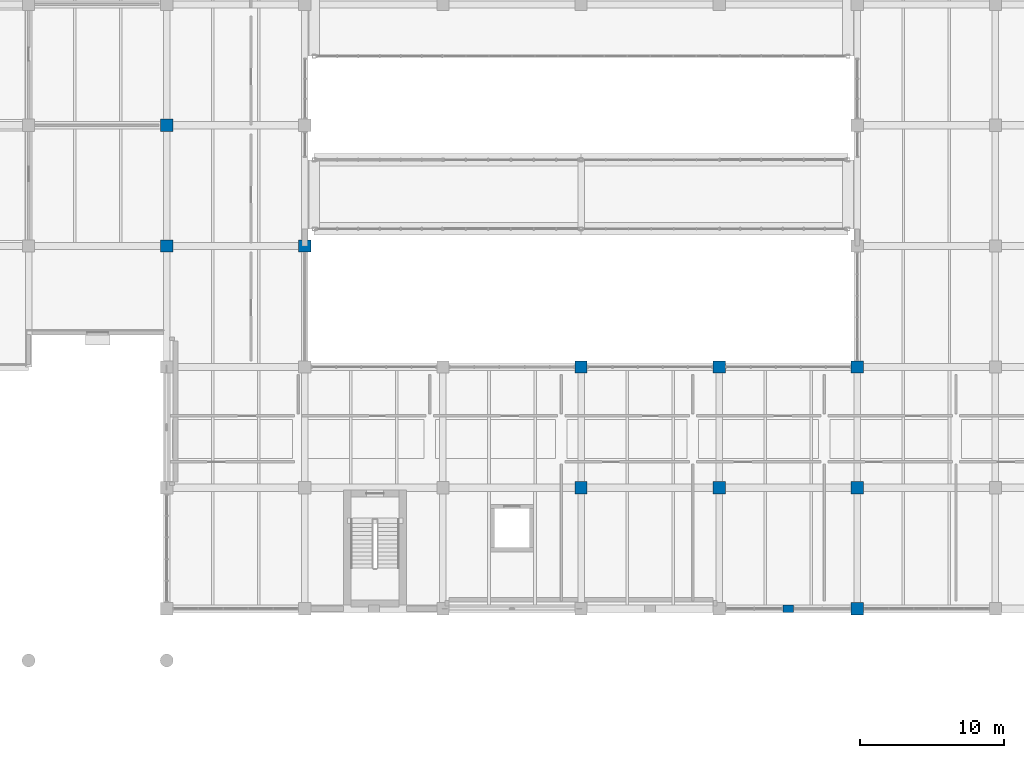
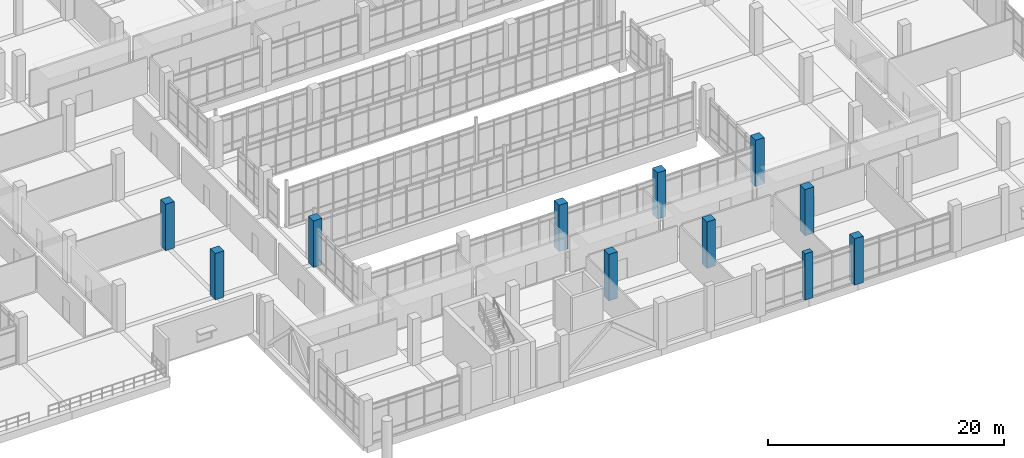
# One storey, part 3 of 152: 11 columns.
"""IFC4 building model written with IfcOpenShell, lengths in metres."""

from ifc_helpers import new_model, si_unit, direction, frame, origin, origin_2d, place, context, subcontext, project, spatial, rectangle, extrude, material, material_profile, profile_set, type_object, element, save


model = new_model("IFC4")

# Units and contexts
model_context = context("Model", 3, precision=1e-05, world=origin(), true_north=direction((0.0, 1.0)))
body_context = subcontext(model_context, "Body", "Model", "MODEL_VIEW")
ifc_project = project(units=[si_unit("LENGTHUNIT", "METRE"), si_unit("AREAUNIT", "SQUARE_METRE"), si_unit("VOLUMEUNIT", "CUBIC_METRE"), si_unit("PLANEANGLEUNIT", "RADIAN"), si_unit("MASSUNIT", "GRAM", prefix="KILO")], contexts=[model_context])

# Site, building, storey
site_placement = place(None, origin())
site = spatial("IfcSite", under=ifc_project, at=site_placement, CompositionType="ELEMENT")
building_placement = place(site_placement, origin())
building = spatial("IfcBuilding", under=site, at=building_placement, Name="Oolite Switchyard Hospital", CompositionType="ELEMENT")
storey_placement = place(building_placement, frame((0.0, 0.0, 5.10009765625)))
storey = spatial("IfcBuildingStorey", under=building, at=storey_placement, Name="L01", CompositionType="ELEMENT", Elevation=5.10009765625)

# Columns
ifc_material_1 = material(Name="Concrete C50/60", Category="concrete")
ifc_material_profile_1 = material_profile(ifc_material_1, rectangle(XDim=0.85009765625, YDim=0.85009765625, at=origin_2d()), Name="RC850X850")
ifc_profile_set_1 = profile_set([ifc_material_profile_1], Name="Concrete C50/60")
column_type_1 = type_object("IfcColumnType", Name="COL-RC850", PredefinedType="COLUMN", material=ifc_profile_set_1)
for number, where, z_axis, x_axis, name in (
    (1, (134.39990234375, 33.60009765625, 0.0), (0.0, 0.0, 1.0), (1.0, 0.0, 0.0), "L01 Column 510"),
    (2, (134.39990234375, 42.0, 0.0), (0.0, 0.0, 1.0), (1.0, 0.0, 0.0), "L01 Column 511"),
    (3, (144.0, 33.60009765625, 0.0), (0.0, 0.0, 1.0), (1.0, 0.0, 0.0), "L01 Column 526"),
    (4, (163.199951171875, 16.800048828125, 0.0), (0.0, 0.0, 1.0), (1.0, 0.0, 0.0), "L01 Column 558"),
    (5, (163.199951171875, 25.199951171875, 0.0), (0.0, 0.0, 1.0), (1.0, 0.0, 0.0), "L01 Column 559"),
    (6, (172.800048828125, 16.800048828125, 0.0), (0.0, 0.0, 1.0), (1.0, 0.0, 0.0), "L01 Column 574"),
    (7, (172.800048828125, 25.199951171875, 0.0), (0.0, 0.0, 1.0), (1.0, 0.0, 0.0), "L01 Column 575"),
    (8, (182.39990234375, 8.39990234375, 0.0), (0.0, 0.0, 1.0), (1.0, 0.0, 0.0), "L01 Column 591"),
    (9, (182.39990234375, 16.800048828125, 0.0), (0.0, 0.0, 1.0), (1.0, 0.0, 0.0), "L01 Column 592"),
    (10, (182.39990234375, 25.199951171875, 0.0), (0.0, 0.0, 1.0), (1.0, 0.0, 0.0), "L01 Column 593"),
):
    element("IfcColumn", number, at=place(storey_placement, frame(where, z_axis=z_axis, x_axis=x_axis)), inside=storey, type_object=column_type_1, Name=name, PredefinedType="COLUMN", context=body_context, shape_type="SweptSolid", body=[
        extrude(rectangle(XDim=0.85009765625, YDim=0.85009765625, at=origin_2d()), origin(), (0.0, 0.0, 1.0), 4.7998046875),
    ])
ifc_material_2 = material(Name="Precast concrete C40/50", Category="concrete")
ifc_material_profile_2 = material_profile(ifc_material_2, rectangle(XDim=0.75, YDim=0.5, at=origin_2d()), Name="PIL750X500")
ifc_profile_set_2 = profile_set([ifc_material_profile_2], Name="Precast concrete C40/50")
column_type_2 = type_object("IfcColumnType", Name="PIL-750X500", PredefinedType="PILASTER", material=ifc_profile_set_2)
column_placement = place(storey_placement, frame((177.60009765625, 8.39990234375, 0.0), z_axis=(0.0, 0.0, 1.0), x_axis=(1.0, 0.0, 0.0)))
element("IfcColumn", 11, at=column_placement, inside=storey, type_object=column_type_2, Name="L01 Classical Pilaster 20", PredefinedType="PILASTER", context=body_context, shape_type="SweptSolid", body=[
    extrude(rectangle(XDim=0.75, YDim=0.5, at=origin_2d()), origin(), (0.0, 0.0, 1.0), 4.7998046875),
])

save(model, "model.ifc")
